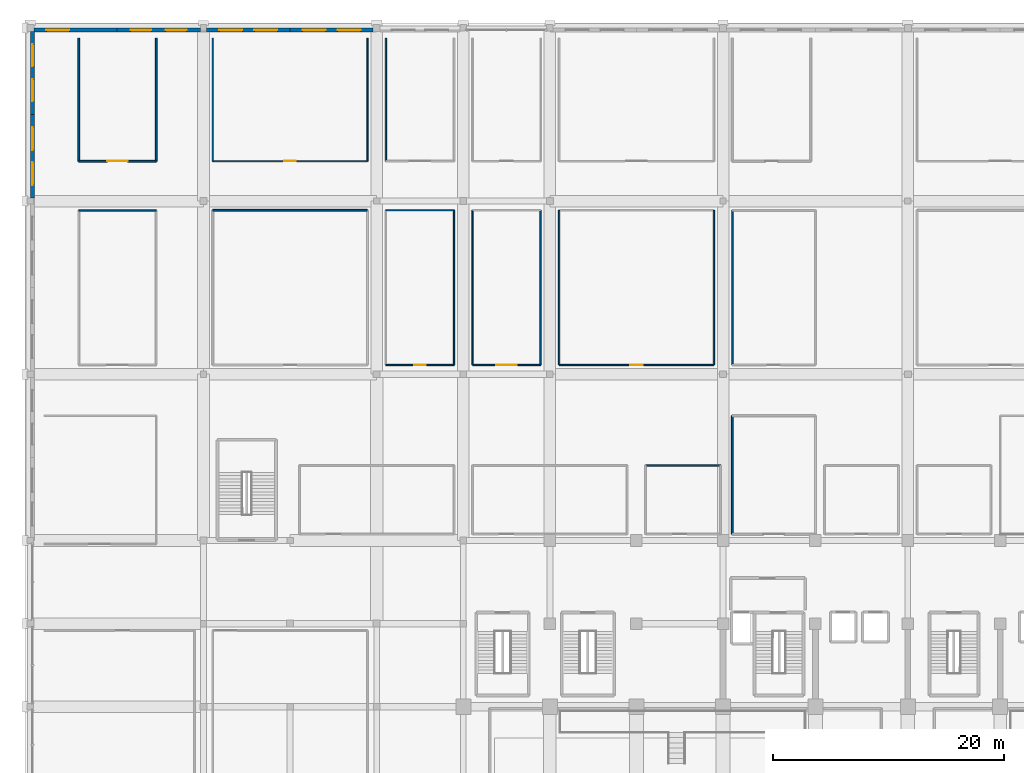
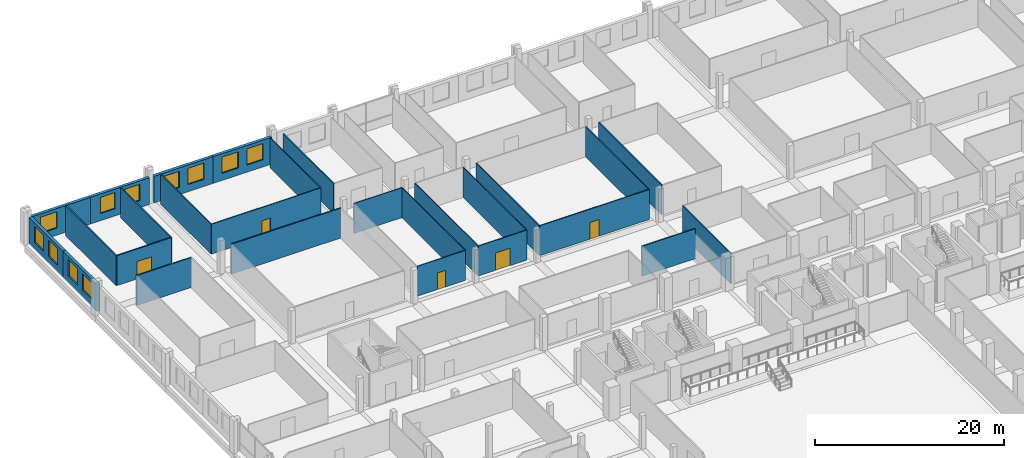
# One storey, part 47 of 68: 27 walls, 11 windows, 5 doors, 16 openings.
"""IFC4 building model written with IfcOpenShell, lengths in metres."""

from ifc_helpers import new_model, si_unit, direction, frame, frame_2d, origin, place, context, subcontext, project, spatial, rectangle, extrude, material, layer, layer_set, type_object, element, fill, save


model = new_model("IFC4")

# Units and contexts
model_context = context("Model", 3, precision=1e-05, world=origin(), true_north=direction((0.0, 1.0)))
body_context = subcontext(model_context, "Body", "Model", "MODEL_VIEW")
ifc_project = project(units=[si_unit("LENGTHUNIT", "METRE"), si_unit("AREAUNIT", "SQUARE_METRE"), si_unit("VOLUMEUNIT", "CUBIC_METRE"), si_unit("PLANEANGLEUNIT", "RADIAN"), si_unit("MASSUNIT", "GRAM", prefix="KILO")], contexts=[model_context])

# Site, building, storey
site_placement = place(None, origin())
site = spatial("IfcSite", under=ifc_project, at=site_placement, CompositionType="ELEMENT")
building_placement = place(site_placement, origin())
building = spatial("IfcBuilding", under=site, at=building_placement, Name="Akrevak Sports Hall", CompositionType="ELEMENT")
storey_placement = place(building_placement, frame((0.0, 0.0, 9.39990234375)))
storey = spatial("IfcBuildingStorey", under=building, at=storey_placement, Name="L02", CompositionType="ELEMENT", Elevation=9.39990234375)

# Wall, opening, window
ifc_material_1 = material(Name="Limestone Ashlar", Category="stone")
ifc_layer_1 = layer(ifc_material_1, 0.080078125, Name="Limestone Ashlar")
ifc_material_2 = material(Name="Mineral Wool Thermal Insulation", Category="insulation")
ifc_layer_2 = layer(ifc_material_2, 0.10009765625, Name="Mineral Wool Thermal Insulation")
ifc_material_3 = material(Name="Concrete C40/50", Category="concrete")
ifc_layer_3 = layer(ifc_material_3, 0.179931640625, Name="Concrete C40/50")
ifc_layer_set_1 = layer_set([ifc_layer_1, ifc_layer_2, ifc_layer_3], Name="Limestone Ashlar / Mineral Wool Thermal Insulation / Concrete C40/50")
wall_type_1 = type_object("IfcWallType", Name="ARC-WL-EXT-360", PredefinedType="SOLIDWALL", material=ifc_layer_set_1)
wall_1_placement = place(storey_placement, frame((7.5, 113.820068359375, 0.0), z_axis=(0.0, 0.0, 1.0), x_axis=(-1.0, 0.0, 0.0)))
wall_1 = element("IfcWall", 1, at=wall_1_placement, inside=storey, type_object=wall_type_1, Name="Exterior Limestone Wall L02-N01", PredefinedType="SOLIDWALL", context=body_context, shape_type="SweptSolid", body=[
    extrude(rectangle(XDim=7.199951171875, YDim=0.360107421875, at=frame_2d((3.60009765625, 0.0))), origin(), (0.0, 0.0, 1.0), 3.4501953125),
])
opening_1_placement = place(wall_1_placement, frame((4.112060546875, 0.0, 0.919921875)))
opening_1 = element("IfcOpeningElement", 2, at=opening_1_placement, cuts=wall_1, Name="Opening WN-36", PredefinedType="OPENING", context=body_context, shape_type="SweptSolid", body=[
    extrude(rectangle(XDim=2.0, YDim=2.10009765625, at=frame_2d((1.0, 1.050048828125))), frame((0.0, 0.19189453125, 0.0), z_axis=(0.0, -1.0, 0.0), x_axis=(1.0, 0.0, 0.0)), (0.0, 0.0, 1.0), 0.384033203125),
])
ifc_material_4 = material(Name="Thermally Broken Bronze Frame & Double Low-E Glass", Category="glass")
window_type_1 = type_object("IfcWindowType", Name="ARC-WIN-SZ-2000x2100", PartitioningType="SINGLE_PANEL", PredefinedType="WINDOW", material=ifc_material_4)
window_1_placement = place(opening_1_placement, origin())
window_1 = element("IfcWindow", 3, at=window_1_placement, inside=storey, type_object=window_type_1, Name="Beaux-Arts Facade Window WIN-L02-N01-1", OverallHeight=2.10009765625, OverallWidth=2.0, PartitioningType="SINGLE_PANEL", PredefinedType="WINDOW", context=body_context, shape_type="SweptSolid", body=[
    extrude(rectangle(XDim=2.0, YDim=2.10009765625, at=frame_2d((1.0, 1.050048828125))), frame((0.0, 0.030029296875, 0.0), z_axis=(0.0, -1.0, 0.0), x_axis=(1.0, 0.0, 0.0)), (0.0, 0.0, 1.0), 0.06005859375),
])
fill(opening_1, window_1)

# Wall, openings, windows
wall_2_placement = place(storey_placement, frame((14.72509765625, 113.820068359375, 0.0), z_axis=(0.0, 0.0, 1.0), x_axis=(-1.0, 0.0, 0.0)))
wall_2 = element("IfcWall", 4, at=wall_2_placement, inside=storey, type_object=wall_type_1, Name="Exterior Limestone Wall L02-N02", PredefinedType="SOLIDWALL", context=body_context, shape_type="SweptSolid", body=[
    extrude(rectangle(XDim=7.22509765625, YDim=0.360107421875, at=frame_2d((3.612548828125, 0.0))), origin(), (0.0, 0.0, 1.0), 3.4501953125),
])
opening_2_placement = place(wall_2_placement, frame((4.229736328125, 0.0, 0.919921875)))
opening_2 = element("IfcOpeningElement", 5, at=opening_2_placement, cuts=wall_2, Name="Opening WN-37", PredefinedType="OPENING", context=body_context, shape_type="SweptSolid", body=[
    extrude(rectangle(XDim=1.800048828125, YDim=2.10009765625, at=frame_2d((0.89990234375, 1.050048828125))), frame((0.0, 0.19189453125, 0.0), z_axis=(0.0, -1.0, 0.0), x_axis=(1.0, 0.0, 0.0)), (0.0, 0.0, 1.0), 0.384033203125),
])
opening_3_placement = place(wall_2_placement, frame((1.1953125, 0.0, 0.919921875)))
opening_3 = element("IfcOpeningElement", 6, at=opening_3_placement, cuts=wall_2, Name="Opening WN-37", PredefinedType="OPENING", context=body_context, shape_type="SweptSolid", body=[
    extrude(rectangle(XDim=1.800048828125, YDim=2.10009765625, at=frame_2d((0.89990234375, 1.050048828125))), frame((0.0, 0.19189453125, 0.0), z_axis=(0.0, -1.0, 0.0), x_axis=(1.0, 0.0, 0.0)), (0.0, 0.0, 1.0), 0.384033203125),
])
window_type_2 = type_object("IfcWindowType", Name="ARC-WIN-SZ-1800x2100", PartitioningType="SINGLE_PANEL", PredefinedType="WINDOW", material=ifc_material_4)
window_2_placement = place(opening_2_placement, origin())
window_2 = element("IfcWindow", 7, at=window_2_placement, inside=storey, type_object=window_type_2, Name="Beaux-Arts Facade Window WIN-L02-N02-1", OverallHeight=2.10009765625, OverallWidth=1.800048828125, PartitioningType="SINGLE_PANEL", PredefinedType="WINDOW", context=body_context, shape_type="SweptSolid", body=[
    extrude(rectangle(XDim=1.800048828125, YDim=2.10009765625, at=frame_2d((0.89990234375, 1.050048828125))), frame((0.0, 0.030029296875, 0.0), z_axis=(0.0, -1.0, 0.0), x_axis=(1.0, 0.0, 0.0)), (0.0, 0.0, 1.0), 0.06005859375),
])
fill(opening_2, window_2)
window_3_placement = place(opening_3_placement, origin())
window_3 = element("IfcWindow", 8, at=window_3_placement, inside=storey, type_object=window_type_2, Name="Beaux-Arts Facade Window WIN-L02-N02-2", OverallHeight=2.10009765625, OverallWidth=1.800048828125, PartitioningType="SINGLE_PANEL", PredefinedType="WINDOW", context=body_context, shape_type="SweptSolid", body=[
    extrude(rectangle(XDim=1.800048828125, YDim=2.10009765625, at=frame_2d((0.89990234375, 1.050048828125))), frame((0.0, 0.030029296875, 0.0), z_axis=(0.0, -1.0, 0.0), x_axis=(1.0, 0.0, 0.0)), (0.0, 0.0, 1.0), 0.06005859375),
])
fill(opening_3, window_3)

wall_3_placement = place(storey_placement, frame((22.5, 113.820068359375, 0.0), z_axis=(0.0, 0.0, 1.0), x_axis=(-1.0, 0.0, 0.0)))
wall_3 = element("IfcWall", 9, at=wall_3_placement, inside=storey, type_object=wall_type_1, Name="Exterior Limestone Wall L02-N03", PredefinedType="SOLIDWALL", context=body_context, shape_type="SweptSolid", body=[
    extrude(rectangle(XDim=7.22509765625, YDim=0.360107421875, at=frame_2d((3.612548828125, 0.0))), origin(), (0.0, 0.0, 1.0), 3.4501953125),
])
opening_4_placement = place(wall_3_placement, frame((4.1298828125, 0.0, 0.919921875)))
opening_4 = element("IfcOpeningElement", 10, at=opening_4_placement, cuts=wall_3, Name="Opening WN-36", PredefinedType="OPENING", context=body_context, shape_type="SweptSolid", body=[
    extrude(rectangle(XDim=2.0, YDim=2.10009765625, at=frame_2d((1.0, 1.050048828125))), frame((0.0, 0.19189453125, 0.0), z_axis=(0.0, -1.0, 0.0), x_axis=(1.0, 0.0, 0.0)), (0.0, 0.0, 1.0), 0.384033203125),
])
opening_5_placement = place(wall_3_placement, frame((1.09521484375, 0.0, 0.919921875)))
opening_5 = element("IfcOpeningElement", 11, at=opening_5_placement, cuts=wall_3, Name="Opening WN-36", PredefinedType="OPENING", context=body_context, shape_type="SweptSolid", body=[
    extrude(rectangle(XDim=2.0, YDim=2.10009765625, at=frame_2d((1.0, 1.050048828125))), frame((0.0, 0.19189453125, 0.0), z_axis=(0.0, -1.0, 0.0), x_axis=(1.0, 0.0, 0.0)), (0.0, 0.0, 1.0), 0.384033203125),
])
window_4_placement = place(opening_4_placement, origin())
window_4 = element("IfcWindow", 12, at=window_4_placement, inside=storey, type_object=window_type_1, Name="Beaux-Arts Facade Window WIN-L02-N03-1", OverallHeight=2.10009765625, OverallWidth=2.0, PartitioningType="SINGLE_PANEL", PredefinedType="WINDOW", context=body_context, shape_type="SweptSolid", body=[
    extrude(rectangle(XDim=2.0, YDim=2.10009765625, at=frame_2d((1.0, 1.050048828125))), frame((0.0, 0.030029296875, 0.0), z_axis=(0.0, -1.0, 0.0), x_axis=(1.0, 0.0, 0.0)), (0.0, 0.0, 1.0), 0.06005859375),
])
fill(opening_4, window_4)
window_5_placement = place(opening_5_placement, origin())
window_5 = element("IfcWindow", 13, at=window_5_placement, inside=storey, type_object=window_type_1, Name="Beaux-Arts Facade Window WIN-L02-N03-2", OverallHeight=2.10009765625, OverallWidth=2.0, PartitioningType="SINGLE_PANEL", PredefinedType="WINDOW", context=body_context, shape_type="SweptSolid", body=[
    extrude(rectangle(XDim=2.0, YDim=2.10009765625, at=frame_2d((1.0, 1.050048828125))), frame((0.0, 0.030029296875, 0.0), z_axis=(0.0, -1.0, 0.0), x_axis=(1.0, 0.0, 0.0)), (0.0, 0.0, 1.0), 0.06005859375),
])
fill(opening_5, window_5)

wall_4_placement = place(storey_placement, frame((29.699951171875, 113.820068359375, 0.0), z_axis=(0.0, 0.0, 1.0), x_axis=(-1.0, 0.0, 0.0)))
wall_4 = element("IfcWall", 14, at=wall_4_placement, inside=storey, type_object=wall_type_1, Name="Exterior Limestone Wall L02-N04", PredefinedType="SOLIDWALL", context=body_context, shape_type="SweptSolid", body=[
    extrude(rectangle(XDim=7.199951171875, YDim=0.360107421875, at=frame_2d((3.60009765625, 0.0))), origin(), (0.0, 0.0, 1.0), 3.4501953125),
])
opening_6_placement = place(wall_4_placement, frame((4.112060546875, 0.0, 0.919921875)))
opening_6 = element("IfcOpeningElement", 15, at=opening_6_placement, cuts=wall_4, Name="Opening WN-36", PredefinedType="OPENING", context=body_context, shape_type="SweptSolid", body=[
    extrude(rectangle(XDim=2.0, YDim=2.10009765625, at=frame_2d((1.0, 1.050048828125))), frame((0.0, 0.19189453125, 0.0), z_axis=(0.0, -1.0, 0.0), x_axis=(1.0, 0.0, 0.0)), (0.0, 0.0, 1.0), 0.384033203125),
])
opening_7_placement = place(wall_4_placement, frame((1.087890625, 0.0, 0.919921875)))
opening_7 = element("IfcOpeningElement", 16, at=opening_7_placement, cuts=wall_4, Name="Opening WN-36", PredefinedType="OPENING", context=body_context, shape_type="SweptSolid", body=[
    extrude(rectangle(XDim=2.0, YDim=2.10009765625, at=frame_2d((1.0, 1.050048828125))), frame((0.0, 0.19189453125, 0.0), z_axis=(0.0, -1.0, 0.0), x_axis=(1.0, 0.0, 0.0)), (0.0, 0.0, 1.0), 0.384033203125),
])
window_6_placement = place(opening_6_placement, origin())
window_6 = element("IfcWindow", 17, at=window_6_placement, inside=storey, type_object=window_type_1, Name="Beaux-Arts Facade Window WIN-L02-N04-1", OverallHeight=2.10009765625, OverallWidth=2.0, PartitioningType="SINGLE_PANEL", PredefinedType="WINDOW", context=body_context, shape_type="SweptSolid", body=[
    extrude(rectangle(XDim=2.0, YDim=2.10009765625, at=frame_2d((1.0, 1.050048828125))), frame((0.0, 0.030029296875, 0.0), z_axis=(0.0, -1.0, 0.0), x_axis=(1.0, 0.0, 0.0)), (0.0, 0.0, 1.0), 0.06005859375),
])
fill(opening_6, window_6)
window_7_placement = place(opening_7_placement, origin())
window_7 = element("IfcWindow", 18, at=window_7_placement, inside=storey, type_object=window_type_1, Name="Beaux-Arts Facade Window WIN-L02-N04-2", OverallHeight=2.10009765625, OverallWidth=2.0, PartitioningType="SINGLE_PANEL", PredefinedType="WINDOW", context=body_context, shape_type="SweptSolid", body=[
    extrude(rectangle(XDim=2.0, YDim=2.10009765625, at=frame_2d((1.0, 1.050048828125))), frame((0.0, 0.030029296875, 0.0), z_axis=(0.0, -1.0, 0.0), x_axis=(1.0, 0.0, 0.0)), (0.0, 0.0, 1.0), 0.06005859375),
])
fill(opening_7, window_7)

wall_5_placement = place(storey_placement, frame((0.179931640625, 106.5, 0.0), z_axis=(0.0, 0.0, 1.0), x_axis=(0.0, -1.0, 0.0)))
wall_5 = element("IfcWall", 19, at=wall_5_placement, inside=storey, type_object=wall_type_1, Name="Exterior Limestone Wall L02-W13", PredefinedType="SOLIDWALL", context=body_context, shape_type="SweptSolid", body=[
    extrude(rectangle(XDim=7.22509765625, YDim=0.360107421875, at=frame_2d((3.612548828125, 0.0))), origin(), (0.0, 0.0, 1.0), 3.4501953125),
])
opening_8_placement = place(wall_5_placement, frame((4.1298828125, 0.0, 0.919921875)))
opening_8 = element("IfcOpeningElement", 20, at=opening_8_placement, cuts=wall_5, Name="Opening WN-36", PredefinedType="OPENING", context=body_context, shape_type="SweptSolid", body=[
    extrude(rectangle(XDim=2.0, YDim=2.10009765625, at=frame_2d((1.0, 1.050048828125))), frame((0.0, 0.19189453125, 0.0), z_axis=(0.0, -1.0, 0.0), x_axis=(1.0, 0.0, 0.0)), (0.0, 0.0, 1.0), 0.384033203125),
])
opening_9_placement = place(wall_5_placement, frame((1.09521484375, 0.0, 0.919921875)))
opening_9 = element("IfcOpeningElement", 21, at=opening_9_placement, cuts=wall_5, Name="Opening WN-36", PredefinedType="OPENING", context=body_context, shape_type="SweptSolid", body=[
    extrude(rectangle(XDim=2.0, YDim=2.10009765625, at=frame_2d((1.0, 1.050048828125))), frame((0.0, 0.19189453125, 0.0), z_axis=(0.0, -1.0, 0.0), x_axis=(1.0, 0.0, 0.0)), (0.0, 0.0, 1.0), 0.384033203125),
])
window_8_placement = place(opening_8_placement, origin())
window_8 = element("IfcWindow", 22, at=window_8_placement, inside=storey, type_object=window_type_1, Name="Beaux-Arts Facade Window WIN-L02-W13-1", OverallHeight=2.10009765625, OverallWidth=2.0, PartitioningType="SINGLE_PANEL", PredefinedType="WINDOW", context=body_context, shape_type="SweptSolid", body=[
    extrude(rectangle(XDim=2.0, YDim=2.10009765625, at=frame_2d((1.0, 1.050048828125))), frame((0.0, 0.030029296875, 0.0), z_axis=(0.0, -1.0, 0.0), x_axis=(1.0, 0.0, 0.0)), (0.0, 0.0, 1.0), 0.06005859375),
])
fill(opening_8, window_8)
window_9_placement = place(opening_9_placement, origin())
window_9 = element("IfcWindow", 23, at=window_9_placement, inside=storey, type_object=window_type_1, Name="Beaux-Arts Facade Window WIN-L02-W13-2", OverallHeight=2.10009765625, OverallWidth=2.0, PartitioningType="SINGLE_PANEL", PredefinedType="WINDOW", context=body_context, shape_type="SweptSolid", body=[
    extrude(rectangle(XDim=2.0, YDim=2.10009765625, at=frame_2d((1.0, 1.050048828125))), frame((0.0, 0.030029296875, 0.0), z_axis=(0.0, -1.0, 0.0), x_axis=(1.0, 0.0, 0.0)), (0.0, 0.0, 1.0), 0.06005859375),
])
fill(opening_9, window_9)

wall_6_placement = place(storey_placement, frame((0.179931640625, 113.699951171875, 0.0), z_axis=(0.0, 0.0, 1.0), x_axis=(0.0, -1.0, 0.0)))
wall_6 = element("IfcWall", 24, at=wall_6_placement, inside=storey, type_object=wall_type_1, Name="Exterior Limestone Wall L02-W14", PredefinedType="SOLIDWALL", context=body_context, shape_type="SweptSolid", body=[
    extrude(rectangle(XDim=7.199951171875, YDim=0.360107421875, at=frame_2d((3.60009765625, 0.0))), origin(), (0.0, 0.0, 1.0), 3.4501953125),
])
opening_10_placement = place(wall_6_placement, frame((4.162109375, 0.0, 0.919921875)))
opening_10 = element("IfcOpeningElement", 25, at=opening_10_placement, cuts=wall_6, Name="Opening WN-38", PredefinedType="OPENING", context=body_context, shape_type="SweptSolid", body=[
    extrude(rectangle(XDim=1.89990234375, YDim=2.10009765625, at=frame_2d((0.949951171875, 1.050048828125))), frame((0.0, 0.19189453125, 0.0), z_axis=(0.0, -1.0, 0.0), x_axis=(1.0, 0.0, 0.0)), (0.0, 0.0, 1.0), 0.384033203125),
])
opening_11_placement = place(wall_6_placement, frame((1.137939453125, 0.0, 0.919921875)))
opening_11 = element("IfcOpeningElement", 26, at=opening_11_placement, cuts=wall_6, Name="Opening WN-38", PredefinedType="OPENING", context=body_context, shape_type="SweptSolid", body=[
    extrude(rectangle(XDim=1.89990234375, YDim=2.10009765625, at=frame_2d((0.949951171875, 1.050048828125))), frame((0.0, 0.19189453125, 0.0), z_axis=(0.0, -1.0, 0.0), x_axis=(1.0, 0.0, 0.0)), (0.0, 0.0, 1.0), 0.384033203125),
])
window_type_3 = type_object("IfcWindowType", Name="ARC-WIN-SZ-1900x2100", PartitioningType="SINGLE_PANEL", PredefinedType="WINDOW", material=ifc_material_4)
window_10_placement = place(opening_10_placement, origin())
window_10 = element("IfcWindow", 27, at=window_10_placement, inside=storey, type_object=window_type_3, Name="Beaux-Arts Facade Window WIN-L02-W14-1", OverallHeight=2.10009765625, OverallWidth=1.89990234375, PartitioningType="SINGLE_PANEL", PredefinedType="WINDOW", context=body_context, shape_type="SweptSolid", body=[
    extrude(rectangle(XDim=1.89990234375, YDim=2.10009765625, at=frame_2d((0.949951171875, 1.050048828125))), frame((0.0, 0.030029296875, 0.0), z_axis=(0.0, -1.0, 0.0), x_axis=(1.0, 0.0, 0.0)), (0.0, 0.0, 1.0), 0.06005859375),
])
fill(opening_10, window_10)
window_11_placement = place(opening_11_placement, origin())
window_11 = element("IfcWindow", 28, at=window_11_placement, inside=storey, type_object=window_type_3, Name="Beaux-Arts Facade Window WIN-L02-W14-2", OverallHeight=2.10009765625, OverallWidth=1.89990234375, PartitioningType="SINGLE_PANEL", PredefinedType="WINDOW", context=body_context, shape_type="SweptSolid", body=[
    extrude(rectangle(XDim=1.89990234375, YDim=2.10009765625, at=frame_2d((0.949951171875, 1.050048828125))), frame((0.0, 0.030029296875, 0.0), z_axis=(0.0, -1.0, 0.0), x_axis=(1.0, 0.0, 0.0)), (0.0, 0.0, 1.0), 0.06005859375),
])
fill(opening_11, window_11)

# Wall, opening, door
ifc_material_5 = material(Name="Sanitary Cubicle Partition", Category="gypsum")
ifc_layer_4 = layer(ifc_material_5, 0.10009765625, Name="Sanitary Cubicle Partition")
ifc_layer_set_2 = layer_set([ifc_layer_4], Name="Sanitary Cubicle Partition")
wall_type_2 = type_object("IfcWallType", Name="ARC-WL-PRT-100", PredefinedType="PARTITIONING", material=ifc_layer_set_2)
wall_7_placement = place(storey_placement, frame((30.800048828125, 84.800048828125, 0.0), z_axis=(0.0, 0.0, 1.0), x_axis=(1.0, 0.0, 0.0)))
wall_7 = element("IfcWall", 29, at=wall_7_placement, inside=storey, type_object=wall_type_2, Name="Interior Partition Sports Clinic Recovery & Physiotherapy Room L02-3 (S)", PredefinedType="PARTITIONING", context=body_context, shape_type="SweptSolid", body=[
    extrude(rectangle(XDim=5.89990234375, YDim=0.10009765625, at=frame_2d((2.949951171875, 0.0))), origin(), (0.0, 0.0, 1.0), 3.880126953125),
])
opening_12_placement = place(wall_7_placement, frame((2.449951171875, 0.0, 0.0)))
opening_12 = element("IfcOpeningElement", 30, at=opening_12_placement, cuts=wall_7, Name="Opening ID-06", PredefinedType="OPENING", context=body_context, shape_type="SweptSolid", body=[
    extrude(rectangle(XDim=1.0, YDim=2.14990234375, at=frame_2d((0.5, 1.074951171875))), frame((0.0, 0.06201171875, 0.0), z_axis=(0.0, -1.0, 0.0), x_axis=(1.0, 0.0, 0.0)), (0.0, 0.0, 1.0), 0.1240234375),
])
ifc_material_6 = material(Name="Hardwood Oak Acoustic Leaf", Category="wood")
door_type_1 = type_object("IfcDoorType", Name="ARC-DR-OFF-100x215", OperationType="NOTDEFINED", PredefinedType="DOOR", material=ifc_material_6)
door_1_placement = place(opening_12_placement, origin())
door_1 = element("IfcDoor", 31, at=door_1_placement, inside=storey, type_object=door_type_1, Name="Door to Sports Clinic Recovery & Physiotherapy Room L02-3", OperationType="SINGLE_SWING_LEFT", OverallHeight=2.14990234375, OverallWidth=1.0, PredefinedType="DOOR", context=body_context, shape_type="SweptSolid", body=[
    extrude(rectangle(XDim=1.0, YDim=2.14990234375, at=frame_2d((0.5, 1.074951171875))), frame((0.0, 0.02490234375, 0.0), z_axis=(0.0, -1.0, 0.0), x_axis=(1.0, 0.0, 0.0)), (0.0, 0.0, 1.0), 0.050048828125),
])
fill(opening_12, door_1)

# Walls
wall_8_placement = place(storey_placement, frame((30.800048828125, 98.199951171875, 0.0), z_axis=(0.0, 0.0, 1.0), x_axis=(1.0, 0.0, 0.0)))
element("IfcWall", 32, at=wall_8_placement, inside=storey, type_object=wall_type_2, Name="Interior Partition Sports Clinic Recovery & Physiotherapy Room L02-3 (N)", PredefinedType="PARTITIONING", context=body_context, shape_type="SweptSolid", body=[
    extrude(rectangle(XDim=5.89990234375, YDim=0.10009765625, at=frame_2d((2.949951171875, 0.0))), origin(), (0.0, 0.0, 1.0), 3.880126953125),
])
wall_9_placement = place(storey_placement, frame((36.699951171875, 84.800048828125, 0.0), z_axis=(0.0, 0.0, 1.0), x_axis=(0.0, 1.0, 0.0)))
element("IfcWall", 33, at=wall_9_placement, inside=storey, type_object=wall_type_2, Name="Interior Partition Sports Clinic Recovery & Physiotherapy Room L02-3 (E)", PredefinedType="PARTITIONING", context=body_context, shape_type="SweptSolid", body=[
    extrude(rectangle(XDim=13.39990234375, YDim=0.10009765625, at=frame_2d((6.699951171875, 0.0))), origin(), (0.0, 0.0, 1.0), 3.880126953125),
])

# Wall, opening, door
ifc_material_7 = material(Name="Lightweight Office Partition", Category="gypsum")
ifc_layer_5 = layer(ifc_material_7, 0.110107421875, Name="Lightweight Office Partition")
ifc_layer_set_3 = layer_set([ifc_layer_5], Name="Lightweight Office Partition")
wall_type_3 = type_object("IfcWallType", Name="ARC-WL-PRT-110", PredefinedType="PARTITIONING", material=ifc_layer_set_3)
wall_10_placement = place(storey_placement, frame((38.300048828125, 84.800048828125, 0.0), z_axis=(0.0, 0.0, 1.0), x_axis=(1.0, 0.0, 0.0)))
wall_10 = element("IfcWall", 34, at=wall_10_placement, inside=storey, type_object=wall_type_3, Name="Interior Partition Athletic Gear & Equipment Storage L02-4 (S)", PredefinedType="PARTITIONING", context=body_context, shape_type="SweptSolid", body=[
    extrude(rectangle(XDim=5.89990234375, YDim=0.110107421875, at=frame_2d((2.949951171875, 0.0))), origin(), (0.0, 0.0, 1.0), 3.880126953125),
])
opening_13_placement = place(wall_10_placement, frame((2.050048828125, 0.0, 0.0)))
opening_13 = element("IfcOpeningElement", 35, at=opening_13_placement, cuts=wall_10, Name="Opening ID-02", PredefinedType="OPENING", context=body_context, shape_type="SweptSolid", body=[
    extrude(rectangle(XDim=1.800048828125, YDim=2.25, at=frame_2d((0.89990234375, 1.125))), frame((0.0, 0.06689453125, 0.0), z_axis=(0.0, -1.0, 0.0), x_axis=(1.0, 0.0, 0.0)), (0.0, 0.0, 1.0), 0.134033203125),
])
ifc_material_8 = material(Name="Hardwood Oak & Safety Glass", Category="wood")
door_type_2 = type_object("IfcDoorType", Name="ARC-DR-HALL-180x225", OperationType="DOUBLE_DOOR_SINGLE_SWING", PredefinedType="DOOR", material=ifc_material_8)
door_2_placement = place(opening_13_placement, origin())
door_2 = element("IfcDoor", 36, at=door_2_placement, inside=storey, type_object=door_type_2, Name="Door to Athletic Gear & Equipment Storage L02-4", OperationType="DOUBLE_DOOR_SINGLE_SWING", OverallHeight=2.25, OverallWidth=1.800048828125, PredefinedType="DOOR", context=body_context, shape_type="SweptSolid", body=[
    extrude(rectangle(XDim=1.800048828125, YDim=2.25, at=frame_2d((0.89990234375, 1.125))), frame((0.0, 0.02490234375, 0.0), z_axis=(0.0, -1.0, 0.0), x_axis=(1.0, 0.0, 0.0)), (0.0, 0.0, 1.0), 0.050048828125),
])
fill(opening_13, door_2)

# Walls
for number, where, z_axis, x_axis, name in (
    (37, (38.300048828125, 84.800048828125, 0.0), (0.0, 0.0, 1.0), (0.0, 1.0, 0.0), "Interior Partition Athletic Gear & Equipment Storage L02-4 (W)"),
    (38, (44.199951171875, 84.800048828125, 0.0), (0.0, 0.0, 1.0), (0.0, 1.0, 0.0), "Interior Partition Athletic Gear & Equipment Storage L02-4 (E)"),
):
    element("IfcWall", number, at=place(storey_placement, frame(where, z_axis=z_axis, x_axis=x_axis)), inside=storey, type_object=wall_type_3, Name=name, PredefinedType="PARTITIONING", context=body_context, shape_type="SweptSolid", body=[
        extrude(rectangle(XDim=13.39990234375, YDim=0.110107421875, at=frame_2d((6.699951171875, 0.0))), origin(), (0.0, 0.0, 1.0), 3.880126953125),
    ])

# Wall, opening, door
wall_11_placement = place(storey_placement, frame((15.800048828125, 102.449951171875, 0.0), z_axis=(0.0, 0.0, 1.0), x_axis=(1.0, 0.0, 0.0)))
wall_11 = element("IfcWall", 39, at=wall_11_placement, inside=storey, type_object=wall_type_3, Name="Interior Partition Federation Officiating & Records Office L02-2 (S)", PredefinedType="PARTITIONING", context=body_context, shape_type="SweptSolid", body=[
    extrude(rectangle(XDim=13.39990234375, YDim=0.110107421875, at=frame_2d((6.699951171875, 0.0))), origin(), (0.0, 0.0, 1.0), 3.880126953125),
])
opening_14_placement = place(wall_11_placement, frame((6.199951171875, 0.0, 0.0)))
opening_14 = element("IfcOpeningElement", 40, at=opening_14_placement, cuts=wall_11, Name="Opening ID-06", PredefinedType="OPENING", context=body_context, shape_type="SweptSolid", body=[
    extrude(rectangle(XDim=1.0, YDim=2.14990234375, at=frame_2d((0.5, 1.074951171875))), frame((0.0, 0.06689453125, 0.0), z_axis=(0.0, -1.0, 0.0), x_axis=(1.0, 0.0, 0.0)), (0.0, 0.0, 1.0), 0.134033203125),
])
door_3_placement = place(opening_14_placement, origin())
door_3 = element("IfcDoor", 41, at=door_3_placement, inside=storey, type_object=door_type_1, Name="Door to Federation Officiating & Records Office L02-2", OperationType="SINGLE_SWING_LEFT", OverallHeight=2.14990234375, OverallWidth=1.0, PredefinedType="DOOR", context=body_context, shape_type="SweptSolid", body=[
    extrude(rectangle(XDim=1.0, YDim=2.14990234375, at=frame_2d((0.5, 1.074951171875))), frame((0.0, 0.02490234375, 0.0), z_axis=(0.0, -1.0, 0.0), x_axis=(1.0, 0.0, 0.0)), (0.0, 0.0, 1.0), 0.050048828125),
])
fill(opening_14, door_3)

# Walls
for number, where, z_axis, x_axis, name in (
    (42, (15.800048828125, 102.449951171875, 0.0), (0.0, 0.0, 1.0), (0.0, 1.0, 0.0), "Interior Partition Federation Officiating & Records Office L02-2 (W)"),
    (43, (29.199951171875, 102.449951171875, 0.0), (0.0, 0.0, 1.0), (0.0, 1.0, 0.0), "Interior Partition Federation Officiating & Records Office L02-2 (E)"),
):
    element("IfcWall", number, at=place(storey_placement, frame(where, z_axis=z_axis, x_axis=x_axis)), inside=storey, type_object=wall_type_3, Name=name, PredefinedType="PARTITIONING", context=body_context, shape_type="SweptSolid", body=[
        extrude(rectangle(XDim=10.650146484375, YDim=0.110107421875, at=frame_2d((5.3251953125, 0.0))), origin(), (0.0, 0.0, 1.0), 3.880126953125),
    ])

# Wall, opening, door
ifc_material_9 = material(Name="Standard Metal Stud Partition", Category="gypsum")
ifc_layer_6 = layer(ifc_material_9, 0.1201171875, Name="Standard Metal Stud Partition")
ifc_layer_set_4 = layer_set([ifc_layer_6], Name="Standard Metal Stud Partition")
wall_type_4 = type_object("IfcWallType", Name="ARC-WL-PRT-120", PredefinedType="PARTITIONING", material=ifc_layer_set_4)
wall_12_placement = place(storey_placement, frame((45.800048828125, 84.800048828125, 0.0), z_axis=(0.0, 0.0, 1.0), x_axis=(1.0, 0.0, 0.0)))
wall_12 = element("IfcWall", 44, at=wall_12_placement, inside=storey, type_object=wall_type_4, Name="Interior Partition Sports Federation Training Office L02-5 (S)", PredefinedType="PARTITIONING", context=body_context, shape_type="SweptSolid", body=[
    extrude(rectangle(XDim=13.39990234375, YDim=0.1201171875, at=frame_2d((6.699951171875, 0.0))), origin(), (0.0, 0.0, 1.0), 3.880126953125),
])
opening_15_placement = place(wall_12_placement, frame((6.14990234375, 0.0, 0.0)))
opening_15 = element("IfcOpeningElement", 45, at=opening_15_placement, cuts=wall_12, Name="Opening ID-04", PredefinedType="OPENING", context=body_context, shape_type="SweptSolid", body=[
    extrude(rectangle(XDim=1.10009765625, YDim=2.14990234375, at=frame_2d((0.550048828125, 1.074951171875))), frame((0.0, 0.072021484375, 0.0), z_axis=(0.0, -1.0, 0.0), x_axis=(1.0, 0.0, 0.0)), (0.0, 0.0, 1.0), 0.14404296875),
])
door_type_3 = type_object("IfcDoorType", Name="ARC-DR-OFF-110x215", OperationType="NOTDEFINED", PredefinedType="DOOR", material=ifc_material_6)
door_4_placement = place(opening_15_placement, frame((1.10009765625, 0.0, 0.0), z_axis=(0.0, 0.0, 1.0), x_axis=(-1.0, 0.0, 0.0)))
door_4 = element("IfcDoor", 46, at=door_4_placement, inside=storey, type_object=door_type_3, Name="Door to Sports Federation Training Office L02-5", OperationType="SINGLE_SWING_RIGHT", OverallHeight=2.14990234375, OverallWidth=1.10009765625, PredefinedType="DOOR", context=body_context, shape_type="SweptSolid", body=[
    extrude(rectangle(XDim=1.10009765625, YDim=2.14990234375, at=frame_2d((0.550048828125, 1.074951171875))), frame((0.0, 0.02490234375, 0.0), z_axis=(0.0, -1.0, 0.0), x_axis=(1.0, 0.0, 0.0)), (0.0, 0.0, 1.0), 0.050048828125),
])
fill(opening_15, door_4)

# Walls
for number, where, z_axis, x_axis, name in (
    (47, (45.800048828125, 84.800048828125, 0.0), (0.0, 0.0, 1.0), (0.0, 1.0, 0.0), "Interior Partition Sports Federation Training Office L02-5 (W)"),
    (48, (59.199951171875, 84.800048828125, 0.0), (0.0, 0.0, 1.0), (0.0, 1.0, 0.0), "Interior Partition Sports Federation Training Office L02-5 (E)"),
):
    element("IfcWall", number, at=place(storey_placement, frame(where, z_axis=z_axis, x_axis=x_axis)), inside=storey, type_object=wall_type_4, Name=name, PredefinedType="PARTITIONING", context=body_context, shape_type="SweptSolid", body=[
        extrude(rectangle(XDim=13.39990234375, YDim=0.1201171875, at=frame_2d((6.699951171875, 0.0))), origin(), (0.0, 0.0, 1.0), 3.880126953125),
    ])
ifc_material_10 = material(Name="Acoustic Metal Stud Partition", Category="gypsum")
ifc_layer_7 = layer(ifc_material_10, 0.1298828125, Name="Acoustic Metal Stud Partition")
ifc_layer_set_5 = layer_set([ifc_layer_7], Name="Acoustic Metal Stud Partition")
wall_type_5 = type_object("IfcWallType", Name="ARC-WL-PRT-130", PredefinedType="PARTITIONING", material=ifc_layer_set_5)
wall_13_placement = place(storey_placement, frame((53.300048828125, 76.10009765625, 0.0), z_axis=(0.0, 0.0, 1.0), x_axis=(1.0, 0.0, 0.0)))
element("IfcWall", 49, at=wall_13_placement, inside=storey, type_object=wall_type_5, Name="Interior Partition Changing Room 11 - Volleyball Home (N)", PredefinedType="PARTITIONING", context=body_context, shape_type="SweptSolid", body=[
    extrude(rectangle(XDim=6.5, YDim=0.1298828125, at=frame_2d((3.25, 0.0))), origin(), (0.0, 0.0, 1.0), 3.880126953125),
])
wall_14_placement = place(storey_placement, frame((4.199951171875, 98.199951171875, 0.0), z_axis=(0.0, 0.0, 1.0), x_axis=(1.0, 0.0, 0.0)))
element("IfcWall", 50, at=wall_14_placement, inside=storey, type_object=wall_type_5, Name="Interior Partition Athletic Gear & Equipment Storage L02-1 (N)", PredefinedType="PARTITIONING", context=body_context, shape_type="SweptSolid", body=[
    extrude(rectangle(XDim=6.699951171875, YDim=0.1298828125, at=frame_2d((3.35009765625, 0.0))), origin(), (0.0, 0.0, 1.0), 3.880126953125),
])
wall_15_placement = place(storey_placement, frame((60.800048828125, 84.800048828125, 0.0), z_axis=(0.0, 0.0, 1.0), x_axis=(0.0, 1.0, 0.0)))
element("IfcWall", 51, at=wall_15_placement, inside=storey, type_object=wall_type_5, Name="Interior Partition Sports Clinic Recovery & Physiotherapy Room L02-6 (W)", PredefinedType="PARTITIONING", context=body_context, shape_type="SweptSolid", body=[
    extrude(rectangle(XDim=13.39990234375, YDim=0.1298828125, at=frame_2d((6.699951171875, 0.0))), origin(), (0.0, 0.0, 1.0), 3.880126953125),
])
wall_16_placement = place(storey_placement, frame((30.800048828125, 102.449951171875, 0.0), z_axis=(0.0, 0.0, 1.0), x_axis=(0.0, 1.0, 0.0)))
element("IfcWall", 52, at=wall_16_placement, inside=storey, type_object=wall_type_5, Name="Interior Partition Competition Equipment Storage L02-3 (W)", PredefinedType="PARTITIONING", context=body_context, shape_type="SweptSolid", body=[
    extrude(rectangle(XDim=10.650146484375, YDim=0.1298828125, at=frame_2d((5.3251953125, 0.0))), origin(), (0.0, 0.0, 1.0), 3.880126953125),
])
ifc_material_11 = material(Name="Double Stud Acoustic Gypsum Partition", Category="gypsum")
ifc_layer_8 = layer(ifc_material_11, 0.14990234375, Name="Double Stud Acoustic Gypsum Partition")
ifc_layer_set_6 = layer_set([ifc_layer_8], Name="Double Stud Acoustic Gypsum Partition")
wall_type_6 = type_object("IfcWallType", Name="ARC-WL-PRT-150", PredefinedType="PARTITIONING", material=ifc_layer_set_6)
wall_17_placement = place(storey_placement, frame((15.800048828125, 98.199951171875, 0.0), z_axis=(0.0, 0.0, 1.0), x_axis=(1.0, 0.0, 0.0)))
element("IfcWall", 53, at=wall_17_placement, inside=storey, type_object=wall_type_6, Name="Interior Partition Sports Federation Training Office L02-2 (N)", PredefinedType="PARTITIONING", context=body_context, shape_type="SweptSolid", body=[
    extrude(rectangle(XDim=13.39990234375, YDim=0.14990234375, at=frame_2d((6.699951171875, 0.0))), origin(), (0.0, 0.0, 1.0), 3.880126953125),
])

# Wall, opening, door
wall_18_placement = place(storey_placement, frame((4.199951171875, 102.449951171875, 0.0), z_axis=(0.0, 0.0, 1.0), x_axis=(1.0, 0.0, 0.0)))
wall_18 = element("IfcWall", 54, at=wall_18_placement, inside=storey, type_object=wall_type_6, Name="Interior Partition Competition Equipment Storage L02-1 (S)", PredefinedType="PARTITIONING", context=body_context, shape_type="SweptSolid", body=[
    extrude(rectangle(XDim=6.699951171875, YDim=0.14990234375, at=frame_2d((3.35009765625, 0.0))), origin(), (0.0, 0.0, 1.0), 3.880126953125),
])
opening_16_placement = place(wall_18_placement, frame((2.449951171875, 0.0, 0.0)))
opening_16 = element("IfcOpeningElement", 55, at=opening_16_placement, cuts=wall_18, Name="Opening ID-02", PredefinedType="OPENING", context=body_context, shape_type="SweptSolid", body=[
    extrude(rectangle(XDim=1.800048828125, YDim=2.25, at=frame_2d((0.89990234375, 1.125))), frame((0.0, 0.0869140625, 0.0), z_axis=(0.0, -1.0, 0.0), x_axis=(1.0, 0.0, 0.0)), (0.0, 0.0, 1.0), 0.173828125),
])
door_5_placement = place(opening_16_placement, origin())
door_5 = element("IfcDoor", 56, at=door_5_placement, inside=storey, type_object=door_type_2, Name="Door to Competition Equipment Storage L02-1", OperationType="DOUBLE_DOOR_SINGLE_SWING", OverallHeight=2.25, OverallWidth=1.800048828125, PredefinedType="DOOR", context=body_context, shape_type="SweptSolid", body=[
    extrude(rectangle(XDim=1.800048828125, YDim=2.25, at=frame_2d((0.89990234375, 1.125))), frame((0.0, 0.02490234375, 0.0), z_axis=(0.0, -1.0, 0.0), x_axis=(1.0, 0.0, 0.0)), (0.0, 0.0, 1.0), 0.050048828125),
])
fill(opening_16, door_5)

# Walls
for number, where, z_axis, x_axis, name in (
    (57, (4.199951171875, 102.449951171875, 0.0), (0.0, 0.0, 1.0), (0.0, 1.0, 0.0), "Interior Partition Competition Equipment Storage L02-1 (W)"),
    (58, (10.89990234375, 102.449951171875, 0.0), (0.0, 0.0, 1.0), (0.0, 1.0, 0.0), "Interior Partition Competition Equipment Storage L02-1 (E)"),
):
    element("IfcWall", number, at=place(storey_placement, frame(where, z_axis=z_axis, x_axis=x_axis)), inside=storey, type_object=wall_type_6, Name=name, PredefinedType="PARTITIONING", context=body_context, shape_type="SweptSolid", body=[
        extrude(rectangle(XDim=10.650146484375, YDim=0.14990234375, at=frame_2d((5.3251953125, 0.0))), origin(), (0.0, 0.0, 1.0), 3.880126953125),
    ])
wall_19_placement = place(storey_placement, frame((60.800048828125, 70.14990234375, 0.0), z_axis=(0.0, 0.0, 1.0), x_axis=(0.0, 1.0, 0.0)))
element("IfcWall", 59, at=wall_19_placement, inside=storey, type_object=wall_type_6, Name="Interior Partition Upper Equipment Storage L02-1 (W)", PredefinedType="PARTITIONING", context=body_context, shape_type="SweptSolid", body=[
    extrude(rectangle(XDim=10.25, YDim=0.14990234375, at=frame_2d((5.125, 0.0))), origin(), (0.0, 0.0, 1.0), 3.880126953125),
])

save(model, "model.ifc")
